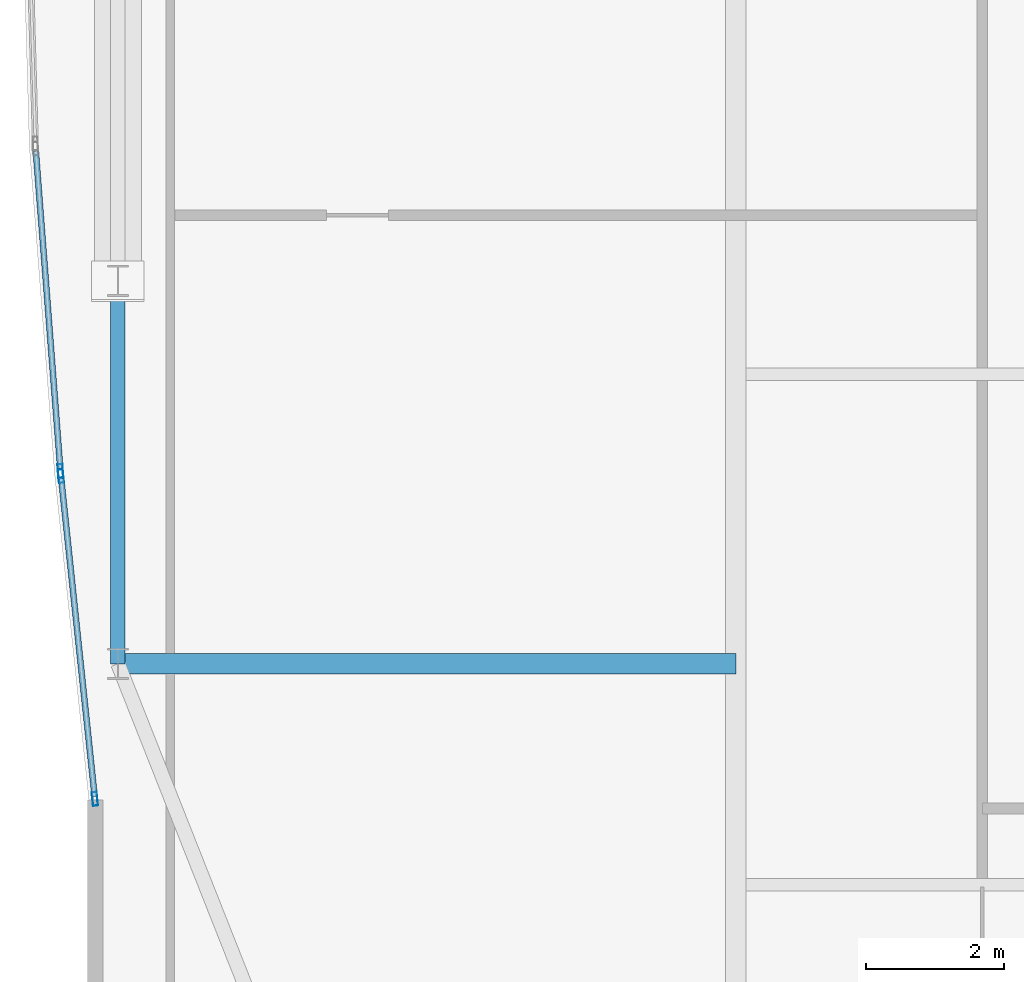
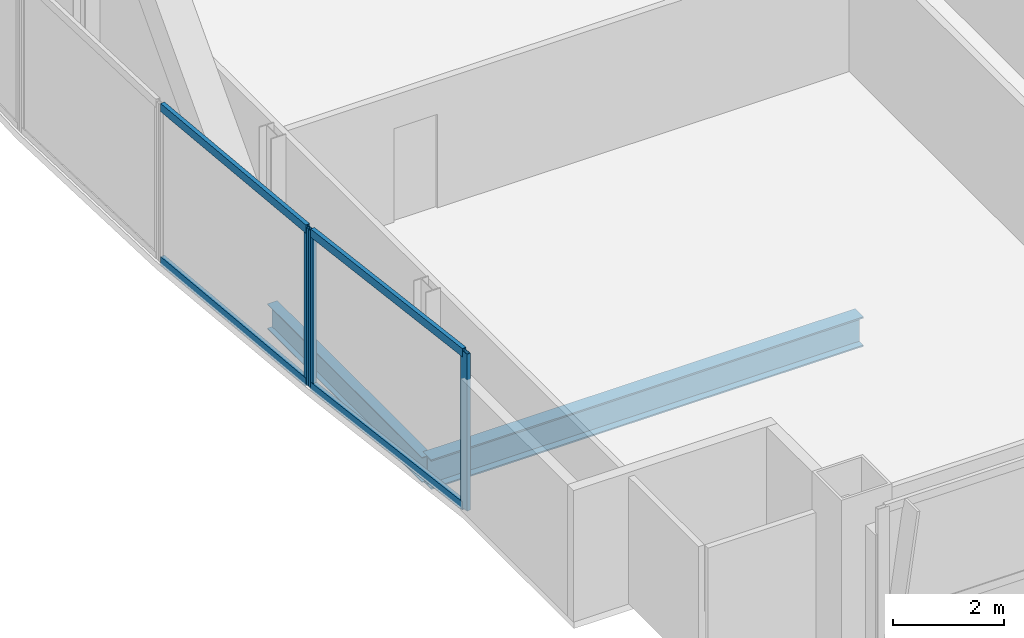
# One storey, part 6 of 30: 7 members, 2 beams, 2 elements without a shape of their own.
"""IFC4 building model written with IfcOpenShell, lengths in metres."""

from ifc_helpers import new_model, si_unit, direction, frame, origin, origin_2d, place, context, subcontext, project, spatial, hollow_rectangle, i_section, extrude, material, material_profile, profile_set, type_object, element, aggregate, save


model = new_model("IFC4")

# Units and contexts
model_context = context("Model", 3, precision=1e-05, world=origin(), true_north=direction((0.0, 1.0)))
body_context = subcontext(model_context, "Body", "Model", "MODEL_VIEW")
ifc_project = project(units=[si_unit("LENGTHUNIT", "METRE"), si_unit("AREAUNIT", "SQUARE_METRE"), si_unit("VOLUMEUNIT", "CUBIC_METRE"), si_unit("PLANEANGLEUNIT", "RADIAN"), si_unit("MASSUNIT", "GRAM", prefix="KILO")], contexts=[model_context])

# Site, building, storey
site_placement = place(None, origin())
site = spatial("IfcSite", under=ifc_project, at=site_placement, CompositionType="ELEMENT")
building_placement = place(site_placement, origin())
building = spatial("IfcBuilding", under=site, at=building_placement, Name="Khoronbel Lancet Exchange", CompositionType="ELEMENT")
storey_placement = place(building_placement, frame((0.0, 0.0, 284.199951171875)))
storey = spatial("IfcBuildingStorey", under=building, at=storey_placement, Name="L73", CompositionType="ELEMENT", Elevation=284.199951171875)

# Beams
ifc_material_1 = material(Name="Steel S355", Category="steel")
ifc_material_profile_1 = material_profile(ifc_material_1, i_section(OverallWidth=0.300048828125, OverallDepth=0.64990234375, WebThickness=0.01611328125, FlangeThickness=0.031005859375, at=origin_2d()), Name="HEB 650")
ifc_profile_set_1 = profile_set([ifc_material_profile_1], Name="Steel S355")
beam_type_1 = type_object("IfcBeamType", Name="BM-BG4", PredefinedType="BEAM", material=ifc_profile_set_1)
beam_1_placement = place(storey_placement, frame((9.27001953125, 19.199951171875, -0.48486328125), z_axis=(1.0, 0.0, 0.0), x_axis=(0.0, 1.0, 0.0)))
element("IfcBeam", 1, at=beam_1_placement, inside=storey, type_object=beam_type_1, Name="Level L73 west lens tie girder LG1W", PredefinedType="BEAM", context=body_context, shape_type="SweptSolid", body=[
    extrude(i_section(OverallWidth=0.300048828125, OverallDepth=0.64990234375, WebThickness=0.01611328125, FlangeThickness=0.031005859375, at=origin_2d()), origin(), (0.0, 0.0, 1.0), 8.955078125),
])
ifc_material_profile_2 = material_profile(ifc_material_1, i_section(OverallWidth=0.2099609375, OverallDepth=0.550048828125, WebThickness=0.010986328125, FlangeThickness=0.01708984375, at=origin_2d()), Name="IPE 550")
ifc_profile_set_2 = profile_set([ifc_material_profile_2], Name="Steel S355")
beam_type_2 = type_object("IfcBeamType", Name="BM-BSP3", PredefinedType="SPANDREL", material=ifc_profile_set_2)
beam_2_placement = place(storey_placement, frame((9.27001953125, 24.75, -0.43505859375), z_axis=(0.0, -1.0, 0.0), x_axis=(1.0, 0.0, 0.0)))
element("IfcBeam", 2, at=beam_2_placement, inside=storey, type_object=beam_type_2, Name="Level L73 perimeter spandrel beam SP20", PredefinedType="SPANDREL", context=body_context, shape_type="SweptSolid", body=[
    extrude(i_section(OverallWidth=0.2099609375, OverallDepth=0.550048828125, WebThickness=0.010986328125, FlangeThickness=0.01708984375, at=origin_2d()), origin(), (0.0, 0.0, 1.0), 5.550048828125),
])

# Curtain wall, members
ifc_material_2 = material(Name="Low-E Solar Control Insulating Glass", Category="glass")
curtain_wall_type = type_object("IfcCurtainWallType", Name="CW-4", PredefinedType="NOTDEFINED", material=ifc_material_2)
curtain_wall_1_placement = place(storey_placement, origin())
curtain_wall_1 = element("IfcCurtainWall", 3, at=curtain_wall_1_placement, inside=storey, type_object=curtain_wall_type, Name="Unitised curtain wall CW-L73-E04", PredefinedType="NOTDEFINED")
ifc_material_3 = material(Name="Bronze-Anodised Aluminium 6063-T6", Category="aluminium")
ifc_material_profile_3 = material_profile(ifc_material_3, hollow_rectangle(XDim=0.074951171875, YDim=0.199951171875, WallThickness=0.0048828125, at=origin_2d()), Name="ALU MULLION 75x200")
ifc_profile_set_3 = profile_set([ifc_material_profile_3], Name="Bronze-Anodised Aluminium 6063-T6")
member_type_1 = type_object("IfcMemberType", Name="MEM-CWM2", PredefinedType="MULLION", material=ifc_profile_set_3)
member_1_placement = place(storey_placement, frame((8.93603515625, 17.241943359375, 0.0), z_axis=(0.0, 0.0, 1.0), x_axis=(-0.994504765069, -0.104691318907, 0.0)))
member_1 = element("IfcMember", 4, at=member_1_placement, type_object=member_type_1, Name="CW4 mullion 1", PredefinedType="MULLION", context=body_context, shape_type="SweptSolid", body=[
    extrude(hollow_rectangle(XDim=0.074951171875, YDim=0.199951171875, WallThickness=0.0048828125, at=origin_2d()), origin(), (0.0, 0.0, 1.0), 3.43994140625),
])
member_2_placement = place(storey_placement, frame((8.443603515625, 21.9208984375, 0.0), z_axis=(0.0, 0.0, 1.0), x_axis=(-0.994504765069, -0.104691318907, 0.0)))
member_2 = element("IfcMember", 5, at=member_2_placement, type_object=member_type_1, Name="CW4 mullion 2", PredefinedType="MULLION", context=body_context, shape_type="SweptSolid", body=[
    extrude(hollow_rectangle(XDim=0.074951171875, YDim=0.199951171875, WallThickness=0.0048828125, at=origin_2d()), origin(), (0.0, 0.0, 1.0), 3.43994140625),
])

# Curtain wall, member
curtain_wall_2_placement = place(storey_placement, origin())
curtain_wall_2 = element("IfcCurtainWall", 6, at=curtain_wall_2_placement, inside=storey, type_object=curtain_wall_type, Name="Unitised curtain wall CW-L73-E05", PredefinedType="NOTDEFINED")
member_3_placement = place(storey_placement, frame((8.436767578125, 21.99560546875, 0.0), z_axis=(0.0, 0.0, 1.0), x_axis=(-0.997045087155, -0.076818579658, 0.0)))
member_3 = element("IfcMember", 7, at=member_3_placement, type_object=member_type_1, Name="CW4 mullion 1", PredefinedType="MULLION", context=body_context, shape_type="SweptSolid", body=[
    extrude(hollow_rectangle(XDim=0.074951171875, YDim=0.199951171875, WallThickness=0.0048828125, at=origin_2d()), origin(), (0.0, 0.0, 1.0), 3.43994140625),
])

# Member
ifc_material_profile_4 = material_profile(ifc_material_3, hollow_rectangle(XDim=0.0849609375, YDim=0.179931640625, WallThickness=0.0048828125, at=origin_2d()), Name="ALU TRANSOM 85x180")
ifc_profile_set_4 = profile_set([ifc_material_profile_4], Name="Bronze-Anodised Aluminium 6063-T6")
member_type_2 = type_object("IfcMemberType", Name="MEM-CWT1", PredefinedType="USERDEFINED", material=ifc_profile_set_4)
member_4_placement = place(storey_placement, frame((8.93212890625, 17.279296875, 0.04248046875), z_axis=(-0.104676549377, 0.994506319744, 0.0), x_axis=(-0.994506319744, -0.104676549377, 0.0)))
member_4 = element("IfcMember", 8, at=member_4_placement, type_object=member_type_2, Name="CW4 transom 1.1", ObjectType="TRANSOM", PredefinedType="USERDEFINED", context=body_context, shape_type="SweptSolid", body=[
    extrude(hollow_rectangle(XDim=0.0849609375, YDim=0.179931640625, WallThickness=0.0048828125, at=origin_2d()), origin(), (0.0, 0.0, 1.0), 4.629638671875),
])

member_5_placement = place(storey_placement, frame((8.93212890625, 17.279296875, 3.3974609375), z_axis=(-0.104676549377, 0.994506319744, 0.0), x_axis=(-0.994506319744, -0.104676549377, 0.0)))
member_5 = element("IfcMember", 9, at=member_5_placement, type_object=member_type_2, Name="CW4 transom 1.2", ObjectType="TRANSOM", PredefinedType="USERDEFINED", context=body_context, shape_type="SweptSolid", body=[
    extrude(hollow_rectangle(XDim=0.0849609375, YDim=0.179931640625, WallThickness=0.0048828125, at=origin_2d()), origin(), (0.0, 0.0, 1.0), 4.629638671875),
])

aggregate(curtain_wall_1, [member_1, member_2, member_4, member_5])

member_6_placement = place(storey_placement, frame((8.433837890625, 22.032958984375, 0.04248046875), z_axis=(-0.076834174828, 0.997043885483, 0.0), x_axis=(-0.997043885483, -0.076834174828, 0.0)))
member_6 = element("IfcMember", 10, at=member_6_placement, type_object=member_type_2, Name="CW4 transom 1.1", ObjectType="TRANSOM", PredefinedType="USERDEFINED", context=body_context, shape_type="SweptSolid", body=[
    extrude(hollow_rectangle(XDim=0.0849609375, YDim=0.179931640625, WallThickness=0.0048828125, at=origin_2d()), origin(), (0.0, 0.0, 1.0), 4.610595703125),
])

member_7_placement = place(storey_placement, frame((8.433837890625, 22.032958984375, 3.3974609375), z_axis=(-0.076834174828, 0.997043885483, 0.0), x_axis=(-0.997043885483, -0.076834174828, 0.0)))
member_7 = element("IfcMember", 11, at=member_7_placement, type_object=member_type_2, Name="CW4 transom 1.2", ObjectType="TRANSOM", PredefinedType="USERDEFINED", context=body_context, shape_type="SweptSolid", body=[
    extrude(hollow_rectangle(XDim=0.0849609375, YDim=0.179931640625, WallThickness=0.0048828125, at=origin_2d()), origin(), (0.0, 0.0, 1.0), 4.610595703125),
])

aggregate(curtain_wall_2, [member_3, member_6, member_7])

save(model, "model.ifc")
